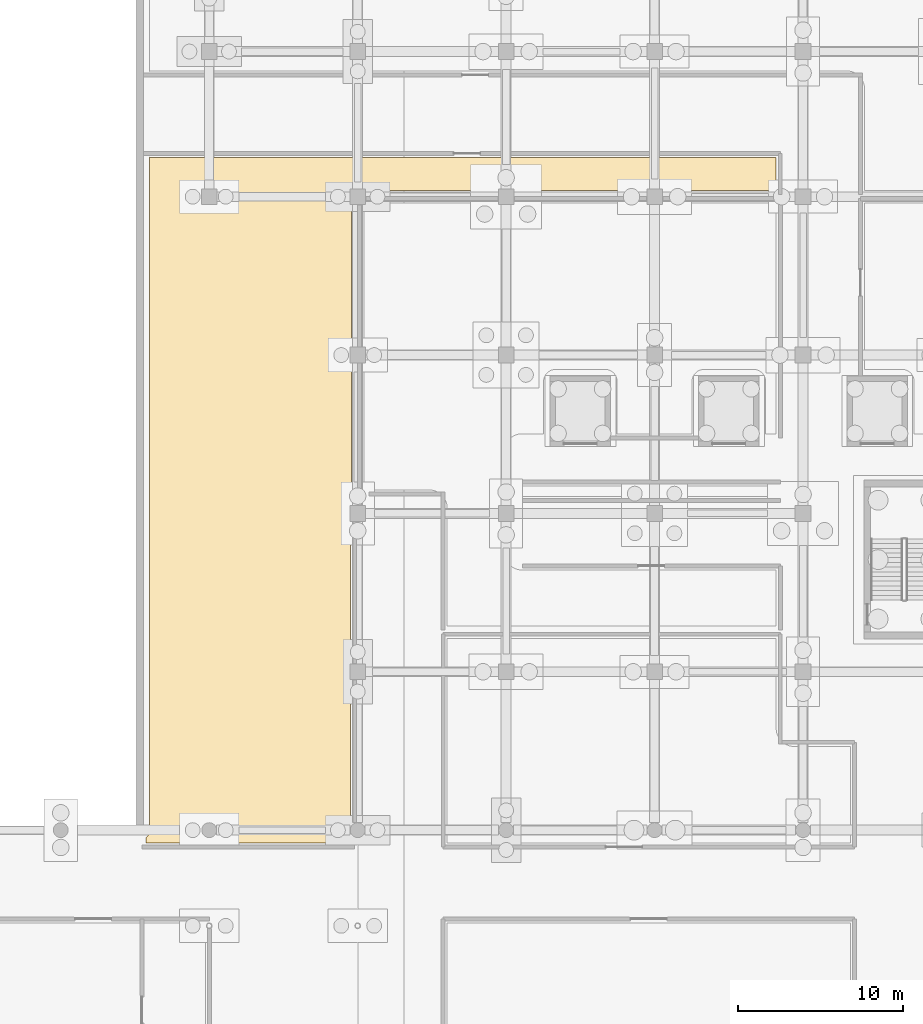
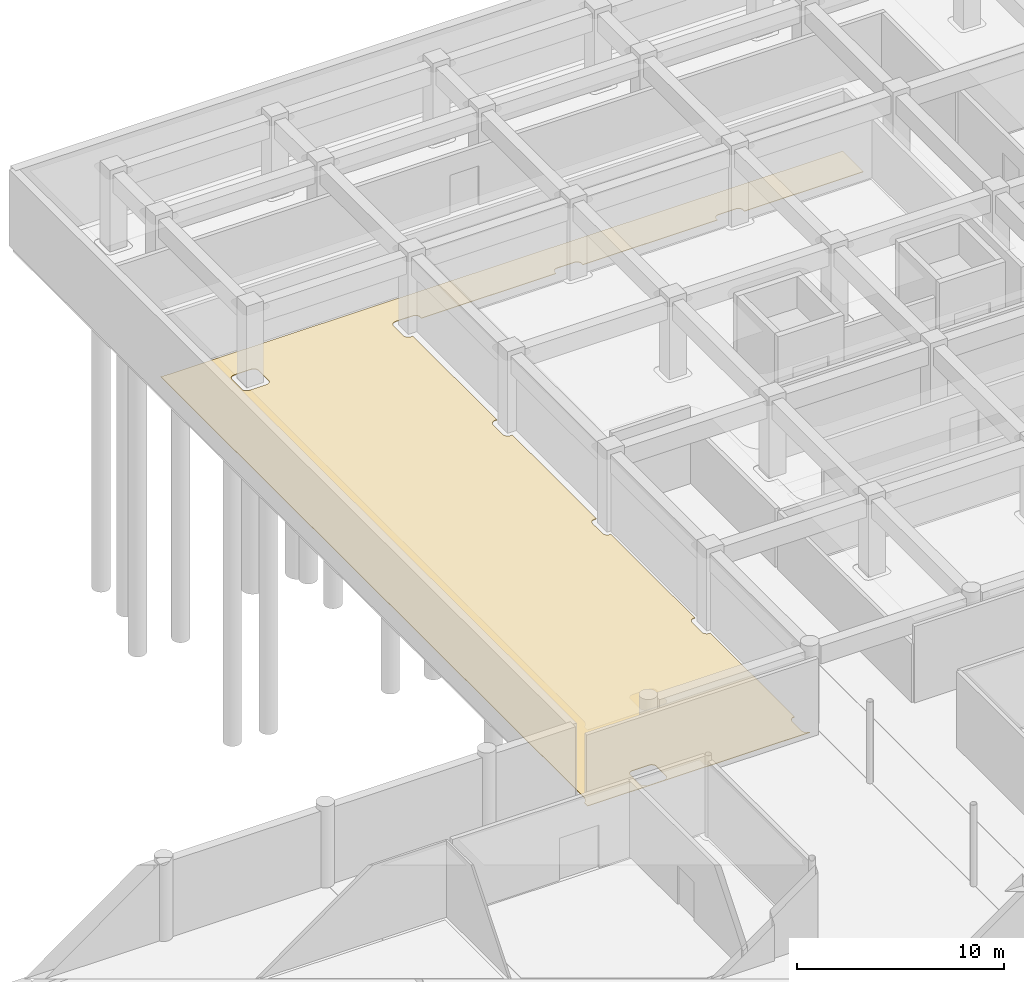
# One storey, part 41 of 47: 1 covering.
"""IFC4 building model written with IfcOpenShell, lengths in metres."""

from ifc_helpers import new_model, si_unit, direction, frame, origin, place, context, subcontext, project, spatial, polyline, outline, extrude, material, layer, layer_set, type_object, element, save


model = new_model("IFC4")

# Units and contexts
model_context = context("Model", 3, precision=1e-05, world=origin(), true_north=direction((0.0, 1.0)))
body_context = subcontext(model_context, "Body", "Model", "MODEL_VIEW")
ifc_project = project(units=[si_unit("LENGTHUNIT", "METRE"), si_unit("AREAUNIT", "SQUARE_METRE"), si_unit("VOLUMEUNIT", "CUBIC_METRE"), si_unit("PLANEANGLEUNIT", "RADIAN"), si_unit("MASSUNIT", "GRAM", prefix="KILO")], contexts=[model_context])

# Site, building, storey
site_placement = place(None, origin())
site = spatial("IfcSite", under=ifc_project, at=site_placement, CompositionType="ELEMENT")
building_placement = place(site_placement, origin())
building = spatial("IfcBuilding", under=site, at=building_placement, Name="Cendralis Terraced Arcade", CompositionType="ELEMENT")
storey_placement = place(building_placement, frame((0.0, 0.0, -4.800048828125)))
storey = spatial("IfcBuildingStorey", under=building, at=storey_placement, Name="B1", CompositionType="ELEMENT", Elevation=-4.800048828125)

# Covering
ifc_material = material(Name="Polished Bogota limestone terrazzo flooring", Category="masonry")
ifc_layer = layer(ifc_material, 0.030029296875, Name="COV-FLR-TERZ-30")
ifc_layer_set = layer_set([ifc_layer], Name="Polished Bogota limestone terrazzo flooring")
covering_type = type_object("IfcCoveringType", Name="COV-FLR-TERZ-30", PredefinedType="FLOORING", material=ifc_layer_set)
covering_placement = place(storey_placement, origin())
element("IfcCovering", 1, at=covering_placement, inside=storey, type_object=covering_type, Name="Interior Finish Flooring B1-022", PredefinedType="FLOORING", context=body_context, shape_type="SweptSolid", body=[
    extrude(outline(polyline([(108.37890625, 59.5478515625), (108.387939453125, 59.555908203125), (108.404052734375, 59.5703125), (108.412841796875, 59.57861328125), (108.42138671875, 59.587158203125), (108.4296875, 59.595947265625), (108.444091796875, 59.612060546875), (108.4521484375, 59.62109375), (108.459716796875, 59.63037109375), (108.46728515625, 59.639892578125), (108.47998046875, 59.657470703125), (108.4873046875, 59.66748046875), (108.49365234375, 59.67724609375), (108.500244140625, 59.6875), (108.511474609375, 59.7060546875), (108.517333984375, 59.716796875), (108.52294921875, 59.72705078125), (108.528564453125, 59.738037109375), (108.53759765625, 59.757568359375), (108.542724609375, 59.768798828125), (108.547119140625, 59.77978515625), (108.551513671875, 59.791259765625), (108.558837890625, 59.8115234375), (108.562744140625, 59.822998046875), (108.566162109375, 59.83447265625), (108.5693359375, 59.84619140625), (108.57470703125, 59.8671875), (108.577392578125, 59.879150390625), (108.57958984375, 59.890625), (108.581787109375, 59.90283203125), (108.5849609375, 59.924072265625), (108.58642578125, 59.936279296875), (108.587646484375, 59.947998046875), (108.58837890625, 59.960205078125), (108.589599609375, 59.981689453125), (108.58984375, 59.988037109375), (108.58984375, 59.993896484375), (108.590087890625, 60.0), (108.590087890625, 100.799072265625), (108.60009765625, 100.796630859375), (108.60595703125, 100.795166015625), (108.61181640625, 100.7939453125), (108.61767578125, 100.79248046875), (108.62939453125, 100.790283203125), (108.63525390625, 100.789306640625), (108.64111328125, 100.7880859375), (108.647216796875, 100.787109375), (108.707275390625, 100.7783203125), (108.71337890625, 100.777587890625), (108.71923828125, 100.776611328125), (108.725341796875, 100.776123046875), (108.737060546875, 100.77490234375), (108.7431640625, 100.7744140625), (108.7490234375, 100.77392578125), (108.755126953125, 100.773681640625), (108.81591796875, 100.7705078125), (108.819091796875, 100.7705078125), (108.822021484375, 100.7705078125), (108.824951171875, 100.770263671875), (108.830810546875, 100.77001953125), (108.833984375, 100.77001953125), (108.8369140625, 100.77001953125), (108.840087890625, 100.77001953125), (146.570068359375, 100.77001953125), (146.570068359375, 98.77001953125), (139.945068359375, 98.77001953125), (139.945068359375, 98.875), (139.944580078125, 98.88720703125), (139.944580078125, 98.88916015625), (139.942138671875, 98.91357421875), (139.94189453125, 98.91552734375), (139.93701171875, 98.939697265625), (139.9365234375, 98.941650390625), (139.929443359375, 98.965087890625), (139.928955078125, 98.966796875), (139.91943359375, 98.989501953125), (139.918701171875, 98.9912109375), (139.906982421875, 99.012939453125), (139.906005859375, 99.0146484375), (139.892333984375, 99.034912109375), (139.891357421875, 99.03662109375), (139.875732421875, 99.0556640625), (139.87451171875, 99.056884765625), (139.85693359375, 99.074462890625), (139.855712890625, 99.07568359375), (139.836669921875, 99.09130859375), (139.8349609375, 99.09228515625), (139.814697265625, 99.106201171875), (139.81298828125, 99.107177734375), (139.791259765625, 99.11865234375), (139.78955078125, 99.119384765625), (139.766845703125, 99.12890625), (139.764892578125, 99.12939453125), (139.74169921875, 99.13671875), (139.739501953125, 99.13720703125), (139.715576171875, 99.141845703125), (139.713623046875, 99.14208984375), (139.689208984375, 99.14453125), (139.687255859375, 99.144775390625), (139.675048828125, 99.14501953125), (138.72509765625, 99.14501953125), (138.712646484375, 99.144775390625), (138.710693359375, 99.14453125), (138.686279296875, 99.14208984375), (138.684326171875, 99.141845703125), (138.660400390625, 99.13720703125), (138.658447265625, 99.13671875), (138.635009765625, 99.12939453125), (138.633056640625, 99.12890625), (138.610595703125, 99.119384765625), (138.608642578125, 99.11865234375), (138.5869140625, 99.107177734375), (138.58544921875, 99.106201171875), (138.56494140625, 99.09228515625), (138.5634765625, 99.09130859375), (138.54443359375, 99.07568359375), (138.54296875, 99.074462890625), (138.525634765625, 99.056884765625), (138.5244140625, 99.0556640625), (138.5087890625, 99.03662109375), (138.507568359375, 99.034912109375), (138.493896484375, 99.0146484375), (138.492919921875, 99.012939453125), (138.4814453125, 98.9912109375), (138.48046875, 98.989501953125), (138.47119140625, 98.966796875), (138.470458984375, 98.965087890625), (138.46337890625, 98.941650390625), (138.462890625, 98.939697265625), (138.4580078125, 98.91552734375), (138.457763671875, 98.91357421875), (138.455322265625, 98.88916015625), (138.455322265625, 98.88720703125), (138.455078125, 98.875), (138.455078125, 98.77001953125), (130.945068359375, 98.77001953125), (130.945068359375, 98.875), (130.944580078125, 98.88720703125), (130.944580078125, 98.88916015625), (130.942138671875, 98.91357421875), (130.94189453125, 98.91552734375), (130.93701171875, 98.939697265625), (130.9365234375, 98.941650390625), (130.929443359375, 98.965087890625), (130.928955078125, 98.966796875), (130.91943359375, 98.989501953125), (130.918701171875, 98.9912109375), (130.906982421875, 99.012939453125), (130.906005859375, 99.0146484375), (130.892333984375, 99.034912109375), (130.891357421875, 99.03662109375), (130.875732421875, 99.0556640625), (130.87451171875, 99.056884765625), (130.85693359375, 99.074462890625), (130.855712890625, 99.07568359375), (130.836669921875, 99.09130859375), (130.8349609375, 99.09228515625), (130.814697265625, 99.106201171875), (130.81298828125, 99.107177734375), (130.791259765625, 99.11865234375), (130.78955078125, 99.119384765625), (130.766845703125, 99.12890625), (130.764892578125, 99.12939453125), (130.74169921875, 99.13671875), (130.739501953125, 99.13720703125), (130.715576171875, 99.141845703125), (130.713623046875, 99.14208984375), (130.689208984375, 99.14453125), (130.687255859375, 99.144775390625), (130.675048828125, 99.14501953125), (129.72509765625, 99.14501953125), (129.712646484375, 99.144775390625), (129.710693359375, 99.14453125), (129.686279296875, 99.14208984375), (129.684326171875, 99.141845703125), (129.660400390625, 99.13720703125), (129.658447265625, 99.13671875), (129.635009765625, 99.12939453125), (129.633056640625, 99.12890625), (129.610595703125, 99.119384765625), (129.608642578125, 99.11865234375), (129.5869140625, 99.107177734375), (129.58544921875, 99.106201171875), (129.56494140625, 99.09228515625), (129.5634765625, 99.09130859375), (129.54443359375, 99.07568359375), (129.54296875, 99.074462890625), (129.525634765625, 99.056884765625), (129.5244140625, 99.0556640625), (129.5087890625, 99.03662109375), (129.507568359375, 99.034912109375), (129.493896484375, 99.0146484375), (129.492919921875, 99.012939453125), (129.4814453125, 98.9912109375), (129.48046875, 98.989501953125), (129.47119140625, 98.966796875), (129.470458984375, 98.965087890625), (129.46337890625, 98.941650390625), (129.462890625, 98.939697265625), (129.4580078125, 98.91552734375), (129.457763671875, 98.91357421875), (129.455322265625, 98.88916015625), (129.455322265625, 98.88720703125), (129.455078125, 98.875), (129.455078125, 98.77001953125), (121.945068359375, 98.77001953125), (121.945068359375, 98.875), (121.944580078125, 98.88720703125), (121.944580078125, 98.88916015625), (121.942138671875, 98.91357421875), (121.94189453125, 98.91552734375), (121.93701171875, 98.939697265625), (121.9365234375, 98.941650390625), (121.929443359375, 98.965087890625), (121.928955078125, 98.966796875), (121.91943359375, 98.989501953125), (121.918701171875, 98.9912109375), (121.906982421875, 99.012939453125), (121.906005859375, 99.0146484375), (121.892333984375, 99.034912109375), (121.891357421875, 99.03662109375), (121.875732421875, 99.0556640625), (121.87451171875, 99.056884765625), (121.85693359375, 99.074462890625), (121.855712890625, 99.07568359375), (121.836669921875, 99.09130859375), (121.8349609375, 99.09228515625), (121.814697265625, 99.106201171875), (121.81298828125, 99.107177734375), (121.791259765625, 99.11865234375), (121.78955078125, 99.119384765625), (121.766845703125, 99.12890625), (121.764892578125, 99.12939453125), (121.74169921875, 99.13671875), (121.739501953125, 99.13720703125), (121.715576171875, 99.141845703125), (121.713623046875, 99.14208984375), (121.689208984375, 99.14453125), (121.687255859375, 99.144775390625), (121.675048828125, 99.14501953125), (120.72509765625, 99.14501953125), (120.712646484375, 99.144775390625), (120.710693359375, 99.14453125), (120.686279296875, 99.14208984375), (120.684326171875, 99.141845703125), (120.660400390625, 99.13720703125), (120.658447265625, 99.13671875), (120.635009765625, 99.12939453125), (120.633056640625, 99.12890625), (120.610595703125, 99.119384765625), (120.608642578125, 99.11865234375), (120.5869140625, 99.107177734375), (120.58544921875, 99.106201171875), (120.56494140625, 99.09228515625), (120.5634765625, 99.09130859375), (120.54443359375, 99.07568359375), (120.54296875, 99.074462890625), (120.525634765625, 99.056884765625), (120.5244140625, 99.0556640625), (120.5087890625, 99.03662109375), (120.507568359375, 99.034912109375), (120.493896484375, 99.0146484375), (120.492919921875, 99.012939453125), (120.4814453125, 98.9912109375), (120.48046875, 98.989501953125), (120.47119140625, 98.966796875), (120.470458984375, 98.965087890625), (120.46337890625, 98.941650390625), (120.462890625, 98.939697265625), (120.4580078125, 98.91552734375), (120.457763671875, 98.91357421875), (120.455322265625, 98.88916015625), (120.455322265625, 98.88720703125), (120.455078125, 98.875), (120.455078125, 97.925048828125), (120.455322265625, 97.91259765625), (120.455322265625, 97.910888671875), (120.457763671875, 97.886474609375), (120.4580078125, 97.884521484375), (120.462890625, 97.8603515625), (120.46337890625, 97.8583984375), (120.470458984375, 97.8349609375), (120.47119140625, 97.8330078125), (120.48046875, 97.810546875), (120.4814453125, 97.80859375), (120.492919921875, 97.787109375), (120.493896484375, 97.785400390625), (120.507568359375, 97.764892578125), (120.5087890625, 97.763427734375), (120.5244140625, 97.744384765625), (120.525634765625, 97.742919921875), (120.54296875, 97.7255859375), (120.54443359375, 97.724365234375), (120.5634765625, 97.708740234375), (120.56494140625, 97.70751953125), (120.58544921875, 97.69384765625), (120.5869140625, 97.69287109375), (120.608642578125, 97.681396484375), (120.610595703125, 97.680419921875), (120.633056640625, 97.671142578125), (120.635009765625, 97.67041015625), (120.658447265625, 97.663330078125), (120.660400390625, 97.662841796875), (120.684326171875, 97.658203125), (120.686279296875, 97.65771484375), (120.710693359375, 97.655517578125), (120.712646484375, 97.6552734375), (120.72509765625, 97.655029296875), (120.830078125, 97.655029296875), (120.830078125, 89.544921875), (120.72509765625, 89.544921875), (120.712646484375, 89.544677734375), (120.710693359375, 89.544677734375), (120.686279296875, 89.542236328125), (120.684326171875, 89.5419921875), (120.660400390625, 89.537109375), (120.658447265625, 89.53662109375), (120.635009765625, 89.529541015625), (120.633056640625, 89.52880859375), (120.610595703125, 89.51953125), (120.608642578125, 89.5185546875), (120.5869140625, 89.507080078125), (120.58544921875, 89.506103515625), (120.56494140625, 89.492431640625), (120.5634765625, 89.4912109375), (120.54443359375, 89.4755859375), (120.54296875, 89.474365234375), (120.525634765625, 89.45703125), (120.5244140625, 89.45556640625), (120.5087890625, 89.4365234375), (120.507568359375, 89.43505859375), (120.493896484375, 89.41455078125), (120.492919921875, 89.4130859375), (120.4814453125, 89.391357421875), (120.48046875, 89.389404296875), (120.47119140625, 89.366943359375), (120.470458984375, 89.364990234375), (120.46337890625, 89.341552734375), (120.462890625, 89.339599609375), (120.4580078125, 89.315673828125), (120.457763671875, 89.313720703125), (120.455322265625, 89.289306640625), (120.455322265625, 89.287353515625), (120.455078125, 89.27490234375), (120.455078125, 88.324951171875), (120.455322265625, 88.312744140625), (120.455322265625, 88.310791015625), (120.457763671875, 88.286376953125), (120.4580078125, 88.284423828125), (120.462890625, 88.260498046875), (120.46337890625, 88.25830078125), (120.470458984375, 88.235107421875), (120.47119140625, 88.233154296875), (120.48046875, 88.21044921875), (120.4814453125, 88.208740234375), (120.492919921875, 88.18701171875), (120.493896484375, 88.185302734375), (120.507568359375, 88.1650390625), (120.5087890625, 88.163330078125), (120.5244140625, 88.144287109375), (120.525634765625, 88.14306640625), (120.54296875, 88.12548828125), (120.54443359375, 88.124267578125), (120.5634765625, 88.108642578125), (120.56494140625, 88.107666015625), (120.58544921875, 88.093994140625), (120.5869140625, 88.093017578125), (120.608642578125, 88.081298828125), (120.610595703125, 88.08056640625), (120.633056640625, 88.071044921875), (120.635009765625, 88.070556640625), (120.658447265625, 88.0634765625), (120.660400390625, 88.06298828125), (120.684326171875, 88.05810546875), (120.686279296875, 88.057861328125), (120.710693359375, 88.055419921875), (120.712646484375, 88.055419921875), (120.72509765625, 88.054931640625), (120.830078125, 88.054931640625), (120.830078125, 79.945068359375), (120.72509765625, 79.945068359375), (120.712646484375, 79.944580078125), (120.710693359375, 79.944580078125), (120.686279296875, 79.942138671875), (120.684326171875, 79.94189453125), (120.660400390625, 79.93701171875), (120.658447265625, 79.9365234375), (120.635009765625, 79.929443359375), (120.633056640625, 79.928955078125), (120.610595703125, 79.91943359375), (120.608642578125, 79.918701171875), (120.5869140625, 79.906982421875), (120.58544921875, 79.906005859375), (120.56494140625, 79.892333984375), (120.5634765625, 79.891357421875), (120.54443359375, 79.875732421875), (120.54296875, 79.87451171875), (120.525634765625, 79.85693359375), (120.5244140625, 79.855712890625), (120.5087890625, 79.836669921875), (120.507568359375, 79.8349609375), (120.493896484375, 79.814697265625), (120.492919921875, 79.81298828125), (120.4814453125, 79.791259765625), (120.48046875, 79.78955078125), (120.47119140625, 79.766845703125), (120.470458984375, 79.764892578125), (120.46337890625, 79.74169921875), (120.462890625, 79.739501953125), (120.4580078125, 79.715576171875), (120.457763671875, 79.713623046875), (120.455322265625, 79.689208984375), (120.455322265625, 79.687255859375), (120.455078125, 79.675048828125), (120.455078125, 78.72509765625), (120.455322265625, 78.712646484375), (120.455322265625, 78.710693359375), (120.457763671875, 78.686279296875), (120.4580078125, 78.684326171875), (120.462890625, 78.660400390625), (120.46337890625, 78.658447265625), (120.470458984375, 78.635009765625), (120.47119140625, 78.633056640625), (120.48046875, 78.610595703125), (120.4814453125, 78.608642578125), (120.492919921875, 78.5869140625), (120.493896484375, 78.58544921875), (120.507568359375, 78.56494140625), (120.5087890625, 78.5634765625), (120.5244140625, 78.54443359375), (120.525634765625, 78.54296875), (120.54296875, 78.525634765625), (120.54443359375, 78.5244140625), (120.5634765625, 78.5087890625), (120.56494140625, 78.507568359375), (120.58544921875, 78.493896484375), (120.5869140625, 78.492919921875), (120.608642578125, 78.4814453125), (120.610595703125, 78.48046875), (120.633056640625, 78.47119140625), (120.635009765625, 78.470458984375), (120.658447265625, 78.46337890625), (120.660400390625, 78.462890625), (120.684326171875, 78.4580078125), (120.686279296875, 78.457763671875), (120.710693359375, 78.455322265625), (120.712646484375, 78.455322265625), (120.72509765625, 78.455078125), (120.77001953125, 78.455078125), (120.77001953125, 70.344970703125), (120.72509765625, 70.344970703125), (120.712646484375, 70.3447265625), (120.710693359375, 70.344482421875), (120.686279296875, 70.34228515625), (120.684326171875, 70.341796875), (120.660400390625, 70.337158203125), (120.658447265625, 70.336669921875), (120.635009765625, 70.32958984375), (120.633056640625, 70.328857421875), (120.610595703125, 70.319580078125), (120.608642578125, 70.318603515625), (120.5869140625, 70.30712890625), (120.58544921875, 70.30615234375), (120.56494140625, 70.29248046875), (120.5634765625, 70.291259765625), (120.54443359375, 70.275634765625), (120.54296875, 70.2744140625), (120.525634765625, 70.257080078125), (120.5244140625, 70.255615234375), (120.5087890625, 70.236572265625), (120.507568359375, 70.235107421875), (120.493896484375, 70.214599609375), (120.492919921875, 70.212890625), (120.4814453125, 70.19140625), (120.48046875, 70.189453125), (120.47119140625, 70.1669921875), (120.470458984375, 70.1650390625), (120.46337890625, 70.1416015625), (120.462890625, 70.1396484375), (120.4580078125, 70.115478515625), (120.457763671875, 70.113525390625), (120.455322265625, 70.089111328125), (120.455322265625, 70.08740234375), (120.455078125, 70.074951171875), (120.455078125, 69.125), (120.455322265625, 69.11279296875), (120.455322265625, 69.11083984375), (120.457763671875, 69.08642578125), (120.4580078125, 69.08447265625), (120.462890625, 69.060302734375), (120.46337890625, 69.058349609375), (120.470458984375, 69.034912109375), (120.47119140625, 69.033203125), (120.48046875, 69.010498046875), (120.4814453125, 69.0087890625), (120.492919921875, 68.987060546875), (120.493896484375, 68.9853515625), (120.507568359375, 68.965087890625), (120.5087890625, 68.96337890625), (120.5244140625, 68.9443359375), (120.525634765625, 68.943115234375), (120.54296875, 68.925537109375), (120.54443359375, 68.92431640625), (120.5634765625, 68.90869140625), (120.56494140625, 68.90771484375), (120.58544921875, 68.893798828125), (120.5869140625, 68.892822265625), (120.608642578125, 68.88134765625), (120.610595703125, 68.880615234375), (120.633056640625, 68.87109375), (120.635009765625, 68.87060546875), (120.658447265625, 68.86328125), (120.660400390625, 68.86279296875), (120.684326171875, 68.858154296875), (120.686279296875, 68.85791015625), (120.710693359375, 68.85546875), (120.712646484375, 68.855224609375), (120.72509765625, 68.85498046875), (120.77001953125, 68.85498046875), (120.77001953125, 60.719970703125), (120.75, 60.719970703125), (120.73779296875, 60.7197265625), (120.73583984375, 60.719482421875), (120.71142578125, 60.71728515625), (120.70947265625, 60.716796875), (120.685302734375, 60.712158203125), (120.683349609375, 60.711669921875), (120.659912109375, 60.70458984375), (120.658203125, 60.703857421875), (120.635498046875, 60.694580078125), (120.6337890625, 60.693603515625), (120.612060546875, 60.68212890625), (120.6103515625, 60.68115234375), (120.590087890625, 60.66748046875), (120.58837890625, 60.666259765625), (120.5693359375, 60.650634765625), (120.568115234375, 60.6494140625), (120.550537109375, 60.632080078125), (120.54931640625, 60.630615234375), (120.53369140625, 60.611572265625), (120.53271484375, 60.610107421875), (120.518798828125, 60.589599609375), (120.517822265625, 60.587890625), (120.50634765625, 60.56640625), (120.505615234375, 60.564453125), (120.49609375, 60.5419921875), (120.49560546875, 60.5400390625), (120.48828125, 60.5166015625), (120.48779296875, 60.5146484375), (120.483154296875, 60.490478515625), (120.48291015625, 60.488525390625), (120.48046875, 60.464111328125), (120.480224609375, 60.46240234375), (120.47998046875, 60.449951171875), (120.47998046875, 59.550048828125), (120.480224609375, 59.53759765625), (120.48046875, 59.535888671875), (120.48291015625, 59.511474609375), (120.483154296875, 59.509521484375), (120.48779296875, 59.4853515625), (120.48828125, 59.4833984375), (120.49560546875, 59.4599609375), (120.49609375, 59.4580078125), (120.505615234375, 59.435546875), (120.50634765625, 59.43359375), (120.517822265625, 59.412109375), (120.518798828125, 59.410400390625), (120.53271484375, 59.389892578125), (120.53369140625, 59.388427734375), (120.54931640625, 59.369384765625), (120.550537109375, 59.367919921875), (120.568115234375, 59.3505859375), (120.5693359375, 59.349365234375), (120.58837890625, 59.333740234375), (120.590087890625, 59.33251953125), (120.6103515625, 59.31884765625), (120.612060546875, 59.31787109375), (120.6337890625, 59.306396484375), (120.635498046875, 59.305419921875), (120.658203125, 59.296142578125), (120.659912109375, 59.29541015625), (120.683349609375, 59.288330078125), (120.685302734375, 59.287841796875), (120.70947265625, 59.283203125), (120.71142578125, 59.28271484375), (120.73583984375, 59.280517578125), (120.73779296875, 59.2802734375), (120.75, 59.280029296875), (120.77001953125, 59.280029296875), (120.77001953125, 59.22998046875), (108.3701171875, 59.22998046875), (108.3701171875, 59.54052734375), (108.37890625, 59.5478515625)]), holes=[polyline([(111.608642578125, 97.681396484375), (111.610595703125, 97.680419921875), (111.633056640625, 97.671142578125), (111.635009765625, 97.67041015625), (111.658447265625, 97.663330078125), (111.660400390625, 97.662841796875), (111.684326171875, 97.658203125), (111.686279296875, 97.65771484375), (111.710693359375, 97.655517578125), (111.712646484375, 97.6552734375), (111.72509765625, 97.655029296875), (112.675048828125, 97.655029296875), (112.687255859375, 97.6552734375), (112.689208984375, 97.655517578125), (112.713623046875, 97.65771484375), (112.715576171875, 97.658203125), (112.739501953125, 97.662841796875), (112.74169921875, 97.663330078125), (112.764892578125, 97.67041015625), (112.766845703125, 97.671142578125), (112.78955078125, 97.680419921875), (112.791259765625, 97.681396484375), (112.81298828125, 97.69287109375), (112.814697265625, 97.69384765625), (112.8349609375, 97.70751953125), (112.836669921875, 97.708740234375), (112.855712890625, 97.724365234375), (112.85693359375, 97.7255859375), (112.87451171875, 97.742919921875), (112.875732421875, 97.744384765625), (112.891357421875, 97.763427734375), (112.892333984375, 97.764892578125), (112.906005859375, 97.785400390625), (112.906982421875, 97.787109375), (112.918701171875, 97.80859375), (112.91943359375, 97.810546875), (112.928955078125, 97.8330078125), (112.929443359375, 97.8349609375), (112.9365234375, 97.8583984375), (112.93701171875, 97.8603515625), (112.94189453125, 97.884521484375), (112.942138671875, 97.886474609375), (112.944580078125, 97.910888671875), (112.944580078125, 97.91259765625), (112.945068359375, 97.925048828125), (112.945068359375, 98.875), (112.944580078125, 98.88720703125), (112.944580078125, 98.88916015625), (112.942138671875, 98.91357421875), (112.94189453125, 98.91552734375), (112.93701171875, 98.939697265625), (112.9365234375, 98.941650390625), (112.929443359375, 98.965087890625), (112.928955078125, 98.966796875), (112.91943359375, 98.989501953125), (112.918701171875, 98.9912109375), (112.906982421875, 99.012939453125), (112.906005859375, 99.0146484375), (112.892333984375, 99.034912109375), (112.891357421875, 99.03662109375), (112.875732421875, 99.0556640625), (112.87451171875, 99.056884765625), (112.85693359375, 99.074462890625), (112.855712890625, 99.07568359375), (112.836669921875, 99.09130859375), (112.8349609375, 99.09228515625), (112.814697265625, 99.106201171875), (112.81298828125, 99.107177734375), (112.791259765625, 99.11865234375), (112.78955078125, 99.119384765625), (112.766845703125, 99.12890625), (112.764892578125, 99.12939453125), (112.74169921875, 99.13671875), (112.739501953125, 99.13720703125), (112.715576171875, 99.141845703125), (112.713623046875, 99.14208984375), (112.689208984375, 99.14453125), (112.687255859375, 99.144775390625), (112.675048828125, 99.14501953125), (111.72509765625, 99.14501953125), (111.712646484375, 99.144775390625), (111.710693359375, 99.14453125), (111.686279296875, 99.14208984375), (111.684326171875, 99.141845703125), (111.660400390625, 99.13720703125), (111.658447265625, 99.13671875), (111.635009765625, 99.12939453125), (111.633056640625, 99.12890625), (111.610595703125, 99.119384765625), (111.608642578125, 99.11865234375), (111.5869140625, 99.107177734375), (111.58544921875, 99.106201171875), (111.56494140625, 99.09228515625), (111.5634765625, 99.09130859375), (111.54443359375, 99.07568359375), (111.54296875, 99.074462890625), (111.525634765625, 99.056884765625), (111.5244140625, 99.0556640625), (111.5087890625, 99.03662109375), (111.507568359375, 99.034912109375), (111.493896484375, 99.0146484375), (111.492919921875, 99.012939453125), (111.4814453125, 98.9912109375), (111.48046875, 98.989501953125), (111.47119140625, 98.966796875), (111.470458984375, 98.965087890625), (111.46337890625, 98.941650390625), (111.462890625, 98.939697265625), (111.4580078125, 98.91552734375), (111.457763671875, 98.91357421875), (111.455322265625, 98.88916015625), (111.455322265625, 98.88720703125), (111.455078125, 98.875), (111.455078125, 97.925048828125), (111.455322265625, 97.91259765625), (111.455322265625, 97.910888671875), (111.457763671875, 97.886474609375), (111.4580078125, 97.884521484375), (111.462890625, 97.8603515625), (111.46337890625, 97.8583984375), (111.470458984375, 97.8349609375), (111.47119140625, 97.8330078125), (111.48046875, 97.810546875), (111.4814453125, 97.80859375), (111.492919921875, 97.787109375), (111.493896484375, 97.785400390625), (111.507568359375, 97.764892578125), (111.5087890625, 97.763427734375), (111.5244140625, 97.744384765625), (111.525634765625, 97.742919921875), (111.54296875, 97.7255859375), (111.54443359375, 97.724365234375), (111.5634765625, 97.708740234375), (111.56494140625, 97.70751953125), (111.58544921875, 97.69384765625), (111.5869140625, 97.69287109375), (111.608642578125, 97.681396484375)]), polyline([(111.6337890625, 59.306396484375), (111.635498046875, 59.305419921875), (111.658203125, 59.296142578125), (111.659912109375, 59.29541015625), (111.683349609375, 59.288330078125), (111.685302734375, 59.287841796875), (111.70947265625, 59.283203125), (111.71142578125, 59.28271484375), (111.73583984375, 59.280517578125), (111.73779296875, 59.2802734375), (111.75, 59.280029296875), (112.64990234375, 59.280029296875), (112.662353515625, 59.2802734375), (112.664306640625, 59.280517578125), (112.688720703125, 59.28271484375), (112.690673828125, 59.283203125), (112.714599609375, 59.287841796875), (112.716552734375, 59.288330078125), (112.739990234375, 59.29541015625), (112.741943359375, 59.296142578125), (112.764404296875, 59.305419921875), (112.766357421875, 59.306396484375), (112.7880859375, 59.31787109375), (112.78955078125, 59.31884765625), (112.81005859375, 59.33251953125), (112.8115234375, 59.333740234375), (112.83056640625, 59.349365234375), (112.83203125, 59.3505859375), (112.849365234375, 59.367919921875), (112.8505859375, 59.369384765625), (112.8662109375, 59.388427734375), (112.867431640625, 59.389892578125), (112.881103515625, 59.410400390625), (112.882080078125, 59.412109375), (112.8935546875, 59.43359375), (112.89453125, 59.435546875), (112.90380859375, 59.4580078125), (112.904541015625, 59.4599609375), (112.91162109375, 59.4833984375), (112.912109375, 59.4853515625), (112.9169921875, 59.509521484375), (112.917236328125, 59.511474609375), (112.919677734375, 59.535888671875), (112.919677734375, 59.53759765625), (112.919921875, 59.550048828125), (112.919921875, 60.449951171875), (112.919677734375, 60.46240234375), (112.919677734375, 60.464111328125), (112.917236328125, 60.488525390625), (112.9169921875, 60.490478515625), (112.912109375, 60.5146484375), (112.91162109375, 60.5166015625), (112.904541015625, 60.5400390625), (112.90380859375, 60.5419921875), (112.89453125, 60.564453125), (112.8935546875, 60.56640625), (112.882080078125, 60.587890625), (112.881103515625, 60.589599609375), (112.867431640625, 60.610107421875), (112.8662109375, 60.611572265625), (112.8505859375, 60.630615234375), (112.849365234375, 60.632080078125), (112.83203125, 60.6494140625), (112.83056640625, 60.650634765625), (112.8115234375, 60.666259765625), (112.81005859375, 60.66748046875), (112.78955078125, 60.68115234375), (112.7880859375, 60.68212890625), (112.766357421875, 60.693603515625), (112.764404296875, 60.694580078125), (112.741943359375, 60.703857421875), (112.739990234375, 60.70458984375), (112.716552734375, 60.711669921875), (112.714599609375, 60.712158203125), (112.690673828125, 60.716796875), (112.688720703125, 60.71728515625), (112.664306640625, 60.719482421875), (112.662353515625, 60.7197265625), (112.64990234375, 60.719970703125), (111.75, 60.719970703125), (111.73779296875, 60.7197265625), (111.73583984375, 60.719482421875), (111.71142578125, 60.71728515625), (111.70947265625, 60.716796875), (111.685302734375, 60.712158203125), (111.683349609375, 60.711669921875), (111.659912109375, 60.70458984375), (111.658203125, 60.703857421875), (111.635498046875, 60.694580078125), (111.6337890625, 60.693603515625), (111.612060546875, 60.68212890625), (111.6103515625, 60.68115234375), (111.590087890625, 60.66748046875), (111.58837890625, 60.666259765625), (111.5693359375, 60.650634765625), (111.568115234375, 60.6494140625), (111.550537109375, 60.632080078125), (111.54931640625, 60.630615234375), (111.53369140625, 60.611572265625), (111.53271484375, 60.610107421875), (111.518798828125, 60.589599609375), (111.517822265625, 60.587890625), (111.50634765625, 60.56640625), (111.505615234375, 60.564453125), (111.49609375, 60.5419921875), (111.49560546875, 60.5400390625), (111.48828125, 60.5166015625), (111.48779296875, 60.5146484375), (111.483154296875, 60.490478515625), (111.48291015625, 60.488525390625), (111.48046875, 60.464111328125), (111.480224609375, 60.46240234375), (111.47998046875, 60.449951171875), (111.47998046875, 59.550048828125), (111.480224609375, 59.53759765625), (111.48046875, 59.535888671875), (111.48291015625, 59.511474609375), (111.483154296875, 59.509521484375), (111.48779296875, 59.4853515625), (111.48828125, 59.4833984375), (111.49560546875, 59.4599609375), (111.49609375, 59.4580078125), (111.505615234375, 59.435546875), (111.50634765625, 59.43359375), (111.517822265625, 59.412109375), (111.518798828125, 59.410400390625), (111.53271484375, 59.389892578125), (111.53369140625, 59.388427734375), (111.54931640625, 59.369384765625), (111.550537109375, 59.367919921875), (111.568115234375, 59.3505859375), (111.5693359375, 59.349365234375), (111.58837890625, 59.333740234375), (111.590087890625, 59.33251953125), (111.6103515625, 59.31884765625), (111.612060546875, 59.31787109375), (111.6337890625, 59.306396484375)])]), origin(), (0.0, 0.0, 1.0), 0.030029296875),
])

save(model, "model.ifc")
